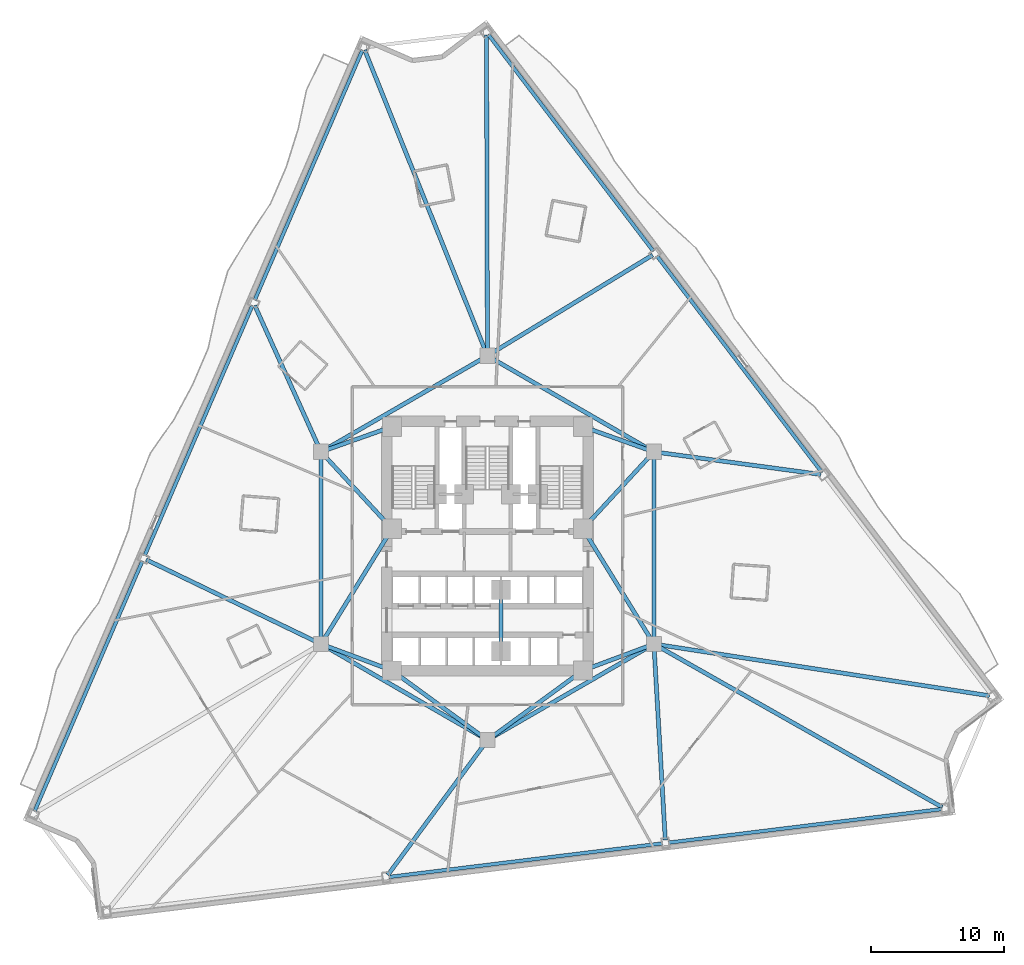
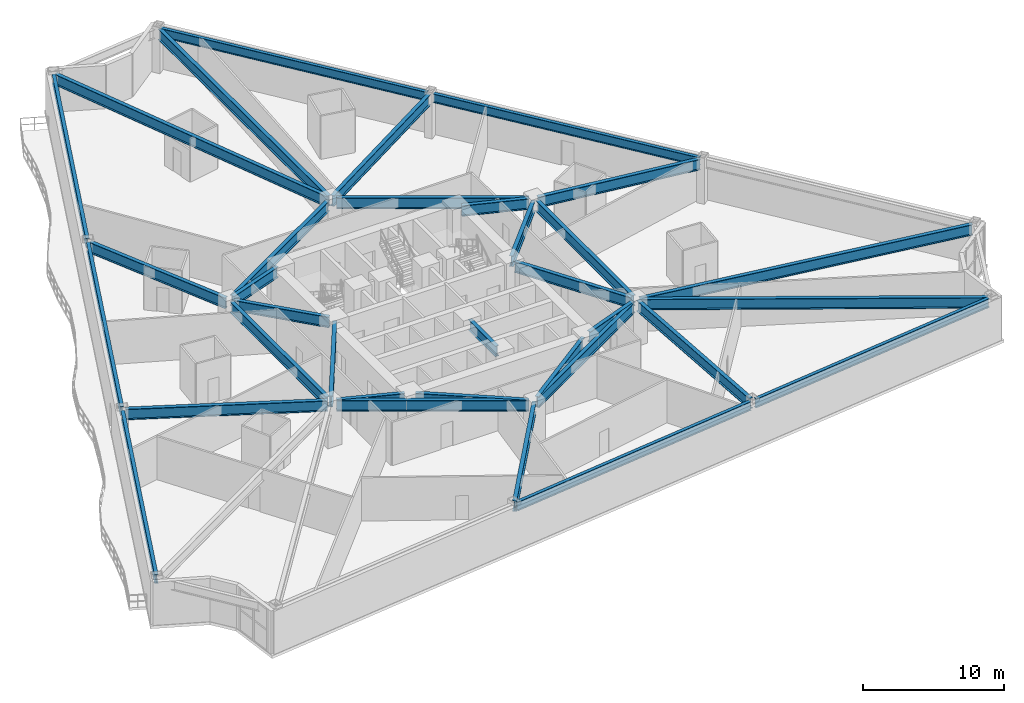
# One storey, part 3 of 14: 34 beams.
"""IFC4 building model written with IfcOpenShell, lengths in metres."""

from ifc_helpers import new_model, si_unit, direction, frame, origin, origin_2d, place, context, subcontext, project, spatial, i_section, extrude, material, material_profile, profile_set, type_object, element, save


model = new_model("IFC4")

# Units and contexts
model_context = context("Model", 3, precision=1e-05, world=origin(), true_north=direction((0.0, 1.0)))
body_context = subcontext(model_context, "Body", "Model", "MODEL_VIEW")
ifc_project = project(units=[si_unit("LENGTHUNIT", "METRE"), si_unit("AREAUNIT", "SQUARE_METRE"), si_unit("VOLUMEUNIT", "CUBIC_METRE"), si_unit("PLANEANGLEUNIT", "RADIAN"), si_unit("MASSUNIT", "GRAM", prefix="KILO")], contexts=[model_context])

# Site, building, storey
site_placement = place(None, origin())
site = spatial("IfcSite", under=ifc_project, at=site_placement, CompositionType="ELEMENT")
building_placement = place(site_placement, origin())
building = spatial("IfcBuilding", under=site, at=building_placement, Name="Apsidion Concourse Tower", CompositionType="ELEMENT")
storey_placement = place(building_placement, frame((0.0, 0.0, 79.0)))
storey = spatial("IfcBuildingStorey", under=building, at=storey_placement, Name="L17", CompositionType="ELEMENT", Elevation=79.0)

# Beams
ifc_material = material(Name="Structural steel ASTM A992 Grade 50", Category="steel")
ifc_material_profile_1 = material_profile(ifc_material, i_section(OverallWidth=0.31005859375, OverallDepth=0.931884765625, WebThickness=0.02099609375, FlangeThickness=0.034423828125, at=origin_2d()), Name="W36X210")
ifc_profile_set_1 = profile_set([ifc_material_profile_1], Name="Structural steel ASTM A992 Grade 50")
beam_type_1 = type_object("IfcBeamType", Name="BM-G-W36", PredefinedType="USERDEFINED", material=ifc_profile_set_1)
beam_1_placement = place(storey_placement, frame((-12.185302734375, -7.389892578125, 3.283935546875), z_axis=(0.936913021145, -0.349562570664, 0.0), x_axis=(0.349562570664, 0.936913021145, 0.0)))
element("IfcBeam", 1, at=beam_1_placement, inside=storey, type_object=beam_type_1, Name="L17 Core Coupling Girder IC1-SC1", ObjectType="GIRDER", PredefinedType="USERDEFINED", context=body_context, shape_type="SweptSolid", body=[
    extrude(i_section(OverallWidth=0.31005859375, OverallDepth=0.931884765625, WebThickness=0.02099609375, FlangeThickness=0.034423828125, at=origin_2d()), origin(), (0.0, 0.0, 1.0), 4.921142578125),
])
beam_2_placement = place(storey_placement, frame((-12.35009765625, -6.909423828125, 3.283935546875), z_axis=(0.524524009763, 0.851395656074, 0.0), x_axis=(-0.851395656074, 0.524524009763, 0.0)))
element("IfcBeam", 2, at=beam_2_placement, inside=storey, type_object=beam_type_1, Name="L17 Core Coupling Girder IC1-SC6", ObjectType="GIRDER", PredefinedType="USERDEFINED", context=body_context, shape_type="SweptSolid", body=[
    extrude(i_section(OverallWidth=0.31005859375, OverallDepth=0.931884765625, WebThickness=0.02099609375, FlangeThickness=0.034423828125, at=origin_2d()), origin(), (0.0, 0.0, 1.0), 9.41845703125),
])
beam_3_placement = place(storey_placement, frame((12.185302734375, -7.389892578125, 3.283935546875), z_axis=(-0.936913021145, -0.349562570664, 0.0), x_axis=(0.349562570664, -0.936913021145, 0.0)))
element("IfcBeam", 3, at=beam_3_placement, inside=storey, type_object=beam_type_1, Name="L17 Core Coupling Girder IC2-SC2", ObjectType="GIRDER", PredefinedType="USERDEFINED", context=body_context, shape_type="SweptSolid", body=[
    extrude(i_section(OverallWidth=0.31005859375, OverallDepth=0.931884765625, WebThickness=0.02099609375, FlangeThickness=0.034423828125, at=origin_2d()), origin(), (0.0, 0.0, 1.0), 4.921142578125),
])
beam_4_placement = place(storey_placement, frame((12.35009765625, -6.909423828125, 3.283935546875), z_axis=(-0.524524009763, 0.851395656074, 0.0), x_axis=(-0.851395656074, -0.524524009763, 0.0)))
element("IfcBeam", 4, at=beam_4_placement, inside=storey, type_object=beam_type_1, Name="L17 Core Coupling Girder IC2-SC3", ObjectType="GIRDER", PredefinedType="USERDEFINED", context=body_context, shape_type="SweptSolid", body=[
    extrude(i_section(OverallWidth=0.31005859375, OverallDepth=0.931884765625, WebThickness=0.02099609375, FlangeThickness=0.034423828125, at=origin_2d()), origin(), (0.0, 0.0, 1.0), 9.41845703125),
])
beam_5_placement = place(storey_placement, frame((12.28857421875, 6.956298828125, 3.283935546875), z_axis=(-0.678712876106, -0.73440372535, 0.0), x_axis=(0.73440372535, -0.678712876106, 0.0)))
element("IfcBeam", 5, at=beam_5_placement, inside=storey, type_object=beam_type_1, Name="L17 Core Coupling Girder IC3-SC3", ObjectType="GIRDER", PredefinedType="USERDEFINED", context=body_context, shape_type="SweptSolid", body=[
    extrude(i_section(OverallWidth=0.31005859375, OverallDepth=0.931884765625, WebThickness=0.02099609375, FlangeThickness=0.034423828125, at=origin_2d()), origin(), (0.0, 0.0, 1.0), 7.097412109375),
])
beam_6_placement = place(storey_placement, frame((12.18310546875, 7.383544921875, 3.283935546875), z_axis=(-0.942533844539, 0.334110688094, 0.0), x_axis=(-0.334110688094, -0.942533844539, 0.0)))
element("IfcBeam", 6, at=beam_6_placement, inside=storey, type_object=beam_type_1, Name="L17 Core Coupling Girder IC3-SC4", ObjectType="GIRDER", PredefinedType="USERDEFINED", context=body_context, shape_type="SweptSolid", body=[
    extrude(i_section(OverallWidth=0.31005859375, OverallDepth=0.931884765625, WebThickness=0.02099609375, FlangeThickness=0.034423828125, at=origin_2d()), origin(), (0.0, 0.0, 1.0), 4.886962890625),
])
beam_7_placement = place(storey_placement, frame((-12.28857421875, 6.956298828125, 3.283935546875), z_axis=(0.678712876106, -0.73440372535, 0.0), x_axis=(0.73440372535, 0.678712876106, 0.0)))
element("IfcBeam", 7, at=beam_7_placement, inside=storey, type_object=beam_type_1, Name="L17 Core Coupling Girder IC5-SC6", ObjectType="GIRDER", PredefinedType="USERDEFINED", context=body_context, shape_type="SweptSolid", body=[
    extrude(i_section(OverallWidth=0.31005859375, OverallDepth=0.931884765625, WebThickness=0.02099609375, FlangeThickness=0.034423828125, at=origin_2d()), origin(), (0.0, 0.0, 1.0), 7.097412109375),
])
beam_8_placement = place(storey_placement, frame((-12.18310546875, 7.383544921875, 3.283935546875), z_axis=(0.942533844539, 0.334110688094, 0.0), x_axis=(-0.334110688094, 0.942533844539, 0.0)))
element("IfcBeam", 8, at=beam_8_placement, inside=storey, type_object=beam_type_1, Name="L17 Core Coupling Girder IC5-SC5", ObjectType="GIRDER", PredefinedType="USERDEFINED", context=body_context, shape_type="SweptSolid", body=[
    extrude(i_section(OverallWidth=0.31005859375, OverallDepth=0.931884765625, WebThickness=0.02099609375, FlangeThickness=0.034423828125, at=origin_2d()), origin(), (0.0, 0.0, 1.0), 4.886962890625),
])
for number, where, z_axis, x_axis, name in (
    (9, (-0.3232421875, -14.264404296875, 3.283935546875), (-0.807993498909, 0.589191399905, 0.0), (-0.589191399905, -0.807993498909, 0.0), "L17 Core Coupling Girder IC6-SC1"),
    (10, (0.3232421875, -14.264404296875, 3.283935546875), (0.807993498909, 0.589191399905, 0.0), (-0.589191399905, 0.807993498909, 0.0), "L17 Core Coupling Girder IC6-SC2"),
):
    element("IfcBeam", number, at=place(storey_placement, frame(where, z_axis=z_axis, x_axis=x_axis)), inside=storey, type_object=beam_type_1, Name=name, ObjectType="GIRDER", PredefinedType="USERDEFINED", context=body_context, shape_type="SweptSolid", body=[
        extrude(i_section(OverallWidth=0.31005859375, OverallDepth=0.931884765625, WebThickness=0.02099609375, FlangeThickness=0.034423828125, at=origin_2d()), origin(), (0.0, 0.0, 1.0), 8.11083984375),
    ])
beam_9_placement = place(storey_placement, frame((-12.56005859375, -6.85009765625, 3.283935546875), z_axis=(0.0, 1.0, 0.0), x_axis=(-1.0, 0.0, 0.0)))
element("IfcBeam", 11, at=beam_9_placement, inside=storey, type_object=beam_type_1, Name="L17 Core Coupling Girder IC1-IC5", ObjectType="GIRDER", PredefinedType="USERDEFINED", context=body_context, shape_type="SweptSolid", body=[
    extrude(i_section(OverallWidth=0.31005859375, OverallDepth=0.931884765625, WebThickness=0.02099609375, FlangeThickness=0.034423828125, at=origin_2d()), origin(), (0.0, 0.0, 1.0), 13.7001953125),
])
for number, where, z_axis, x_axis, name in (
    (12, (-12.213623046875, 7.449951171875, 3.283935546875), (0.866070471464, 0.499921932364, 0.0), (-0.499921932364, 0.866070471464, 0.0), "L17 Core Coupling Girder IC5-IC4"),
    (13, (0.346435546875, 14.300048828125, 3.283935546875), (0.866070471464, -0.499921932364, 0.0), (0.499921932364, 0.866070471464, 0.0), "L17 Core Coupling Girder IC4-IC3"),
):
    element("IfcBeam", number, at=place(storey_placement, frame(where, z_axis=z_axis, x_axis=x_axis)), inside=storey, type_object=beam_type_1, Name=name, ObjectType="GIRDER", PredefinedType="USERDEFINED", context=body_context, shape_type="SweptSolid", body=[
        extrude(i_section(OverallWidth=0.31005859375, OverallDepth=0.931884765625, WebThickness=0.02099609375, FlangeThickness=0.034423828125, at=origin_2d()), origin(), (0.0, 0.0, 1.0), 13.702392578125),
    ])
beam_10_placement = place(storey_placement, frame((12.56005859375, 6.85009765625, 3.283935546875), z_axis=(0.0, -1.0, 0.0), x_axis=(1.0, 0.0, 0.0)))
element("IfcBeam", 14, at=beam_10_placement, inside=storey, type_object=beam_type_1, Name="L17 Core Coupling Girder IC3-IC2", ObjectType="GIRDER", PredefinedType="USERDEFINED", context=body_context, shape_type="SweptSolid", body=[
    extrude(i_section(OverallWidth=0.31005859375, OverallDepth=0.931884765625, WebThickness=0.02099609375, FlangeThickness=0.034423828125, at=origin_2d()), origin(), (0.0, 0.0, 1.0), 13.7001953125),
])
for number, where, z_axis, x_axis, name in (
    (15, (12.213623046875, -7.449951171875, 3.283935546875), (-0.866070471464, -0.499921932364, 0.0), (0.499921932364, -0.866070471464, 0.0), "L17 Core Coupling Girder IC2-IC6"),
    (16, (-0.346435546875, -14.300048828125, 3.283935546875), (-0.866070471464, 0.499921932364, 0.0), (-0.499921932364, -0.866070471464, 0.0), "L17 Core Coupling Girder IC6-IC1"),
):
    element("IfcBeam", number, at=place(storey_placement, frame(where, z_axis=z_axis, x_axis=x_axis)), inside=storey, type_object=beam_type_1, Name=name, ObjectType="GIRDER", PredefinedType="USERDEFINED", context=body_context, shape_type="SweptSolid", body=[
        extrude(i_section(OverallWidth=0.31005859375, OverallDepth=0.931884765625, WebThickness=0.02099609375, FlangeThickness=0.034423828125, at=origin_2d()), origin(), (0.0, 0.0, 1.0), 13.702392578125),
    ])
beam_11_placement = place(storey_placement, frame((1.02490234375, -3.550048828125, 3.283935546875), z_axis=(0.0, -1.0, 0.0), x_axis=(1.0, 0.0, 0.0)))
element("IfcBeam", 17, at=beam_11_placement, inside=storey, type_object=beam_type_1, Name="L17 Core Coupling Girder CC5-CC6", ObjectType="GIRDER", PredefinedType="USERDEFINED", context=body_context, shape_type="SweptSolid", body=[
    extrude(i_section(OverallWidth=0.31005859375, OverallDepth=0.931884765625, WebThickness=0.02099609375, FlangeThickness=0.034423828125, at=origin_2d()), origin(), (0.0, 0.0, 1.0), 3.849853515625),
])
beam_12_placement = place(storey_placement, frame((-0.08203125, 14.7041015625, 3.283935546875), z_axis=(-0.372538285094, 0.928016824276, 0.0), x_axis=(-0.928016824276, -0.372538285094, 0.0)))
element("IfcBeam", 18, at=beam_12_placement, inside=storey, type_object=beam_type_1, Name="L17 Radial Floor Girder RAD-01", ObjectType="GIRDER", PredefinedType="USERDEFINED", context=body_context, shape_type="SweptSolid", body=[
    extrude(i_section(OverallWidth=0.31005859375, OverallDepth=0.931884765625, WebThickness=0.02099609375, FlangeThickness=0.034423828125, at=origin_2d()), origin(), (0.0, 0.0, 1.0), 24.642333984375),
])
beam_13_placement = place(storey_placement, frame((-12.650634765625, 7.450439453125, 3.283935546875), z_axis=(-0.412253816474, 0.911069037342, 0.0), x_axis=(-0.911069037342, -0.412253816474, 0.0)))
element("IfcBeam", 19, at=beam_13_placement, inside=storey, type_object=beam_type_1, Name="L17 Radial Floor Girder RAD-02", ObjectType="GIRDER", PredefinedType="USERDEFINED", context=body_context, shape_type="SweptSolid", body=[
    extrude(i_section(OverallWidth=0.31005859375, OverallDepth=0.931884765625, WebThickness=0.02099609375, FlangeThickness=0.034423828125, at=origin_2d()), origin(), (0.0, 0.0, 1.0), 11.90234375),
])
beam_14_placement = place(storey_placement, frame((-12.758056640625, -7.154296875, 3.283935546875), z_axis=(-0.900619466143, 0.434608533286, 0.0), x_axis=(-0.434608533286, -0.900619466143, 0.0)))
element("IfcBeam", 20, at=beam_14_placement, inside=storey, type_object=beam_type_1, Name="L17 Radial Floor Girder RAD-03", ObjectType="GIRDER", PredefinedType="USERDEFINED", context=body_context, shape_type="SweptSolid", body=[
    extrude(i_section(OverallWidth=0.31005859375, OverallDepth=0.931884765625, WebThickness=0.02099609375, FlangeThickness=0.034423828125, at=origin_2d()), origin(), (0.0, 0.0, 1.0), 14.4296875),
])
beam_15_placement = place(storey_placement, frame((-0.130615234375, -14.677001953125, 3.283935546875), z_axis=(-0.594039313688, -0.804436009757, 0.0), x_axis=(0.804436009757, -0.594039313688, 0.0)))
element("IfcBeam", 21, at=beam_15_placement, inside=storey, type_object=beam_type_1, Name="L17 Radial Floor Girder RAD-06", ObjectType="GIRDER", PredefinedType="USERDEFINED", context=body_context, shape_type="SweptSolid", body=[
    extrude(i_section(OverallWidth=0.31005859375, OverallDepth=0.931884765625, WebThickness=0.02099609375, FlangeThickness=0.034423828125, at=origin_2d()), origin(), (0.0, 0.0, 1.0), 12.43359375),
])
beam_16_placement = place(storey_placement, frame((12.57275390625, -7.469482421875, 3.283935546875), z_axis=(0.058062445762, -0.998312953133, 0.0), x_axis=(0.998312953133, 0.058062445762, 0.0)))
element("IfcBeam", 22, at=beam_16_placement, inside=storey, type_object=beam_type_1, Name="L17 Radial Floor Girder RAD-07", ObjectType="GIRDER", PredefinedType="USERDEFINED", context=body_context, shape_type="SweptSolid", body=[
    extrude(i_section(OverallWidth=0.31005859375, OverallDepth=0.931884765625, WebThickness=0.02099609375, FlangeThickness=0.034423828125, at=origin_2d()), origin(), (0.0, 0.0, 1.0), 14.603271484375),
])
beam_17_placement = place(storey_placement, frame((12.75146484375, -7.3583984375, 3.283935546875), z_axis=(0.870218136179, -0.492666616958, 0.0), x_axis=(0.492666616958, 0.870218136179, 0.0)))
element("IfcBeam", 23, at=beam_17_placement, inside=storey, type_object=beam_type_1, Name="L17 Radial Floor Girder RAD-08", ObjectType="GIRDER", PredefinedType="USERDEFINED", context=body_context, shape_type="SweptSolid", body=[
    extrude(i_section(OverallWidth=0.31005859375, OverallDepth=0.931884765625, WebThickness=0.02099609375, FlangeThickness=0.034423828125, at=origin_2d()), origin(), (0.0, 0.0, 1.0), 24.788330078125),
])
beam_18_placement = place(storey_placement, frame((12.77734375, -7.283447265625, 3.283935546875), z_axis=(0.98832519419, -0.152359149806, 0.0), x_axis=(0.152359149806, 0.98832519419, 0.0)))
element("IfcBeam", 24, at=beam_18_placement, inside=storey, type_object=beam_type_1, Name="L17 Radial Floor Girder RAD-09", ObjectType="GIRDER", PredefinedType="USERDEFINED", context=body_context, shape_type="SweptSolid", body=[
    extrude(i_section(OverallWidth=0.31005859375, OverallDepth=0.931884765625, WebThickness=0.02099609375, FlangeThickness=0.034423828125, at=origin_2d()), origin(), (0.0, 0.0, 1.0), 25.394775390625),
])
beam_19_placement = place(storey_placement, frame((12.778076171875, 7.220458984375, 3.283935546875), z_axis=(0.990945318587, -0.134266062618, 0.0), x_axis=(0.134266062618, 0.990945318587, 0.0)))
element("IfcBeam", 25, at=beam_19_placement, inside=storey, type_object=beam_type_1, Name="L17 Radial Floor Girder RAD-10", ObjectType="GIRDER", PredefinedType="USERDEFINED", context=body_context, shape_type="SweptSolid", body=[
    extrude(i_section(OverallWidth=0.31005859375, OverallDepth=0.931884765625, WebThickness=0.02099609375, FlangeThickness=0.034423828125, at=origin_2d()), origin(), (0.0, 0.0, 1.0), 12.48828125),
])
beam_20_placement = place(storey_placement, frame((0.187744140625, 14.614501953125, 3.283935546875), z_axis=(0.853749961822, 0.520683207611, 0.0), x_axis=(-0.520683207611, 0.853749961822, 0.0)))
element("IfcBeam", 26, at=beam_20_placement, inside=storey, type_object=beam_type_1, Name="L17 Radial Floor Girder RAD-11", ObjectType="GIRDER", PredefinedType="USERDEFINED", context=body_context, shape_type="SweptSolid", body=[
    extrude(i_section(OverallWidth=0.31005859375, OverallDepth=0.931884765625, WebThickness=0.02099609375, FlangeThickness=0.034423828125, at=origin_2d()), origin(), (0.0, 0.0, 1.0), 14.37646484375),
])
beam_21_placement = place(storey_placement, frame((-0.000732421875, 14.719970703125, 3.283935546875), z_axis=(-0.002953053731, 0.999995639727, 0.0), x_axis=(-0.999995639727, -0.002953053731, 0.0)))
element("IfcBeam", 27, at=beam_21_placement, inside=storey, type_object=beam_type_1, Name="L17 Radial Floor Girder RAD-12", ObjectType="GIRDER", PredefinedType="USERDEFINED", context=body_context, shape_type="SweptSolid", body=[
    extrude(i_section(OverallWidth=0.31005859375, OverallDepth=0.931884765625, WebThickness=0.02099609375, FlangeThickness=0.034423828125, at=origin_2d()), origin(), (0.0, 0.0, 1.0), 23.975341796875),
])
ifc_material_profile_2 = material_profile(ifc_material, i_section(OverallWidth=0.26806640625, OverallDepth=0.77001953125, WebThickness=0.015625, FlangeThickness=0.025390625, at=origin_2d()), Name="W30X132")
ifc_profile_set_2 = profile_set([ifc_material_profile_2], Name="Structural steel ASTM A992 Grade 50")
beam_type_2 = type_object("IfcBeamType", Name="BM-SP-W30", PredefinedType="SPANDREL", material=ifc_profile_set_2)
beam_22_placement = place(storey_placement, frame((-9.431396484375, 37.57470703125, 3.364990234375), z_axis=(-0.395525708749, -0.918454905653, 0.0), x_axis=(0.918454905653, -0.395525708749, 0.0)))
element("IfcBeam", 28, at=beam_22_placement, inside=storey, type_object=beam_type_2, Name="L17 Perimeter Spandrel Girder SP-01", PredefinedType="SPANDREL", context=body_context, shape_type="SweptSolid", body=[
    extrude(i_section(OverallWidth=0.26806640625, OverallDepth=0.77001953125, WebThickness=0.015625, FlangeThickness=0.025390625, at=origin_2d()), origin(), (0.0, 0.0, 1.0), 20.553955078125),
])
beam_23_placement = place(storey_placement, frame((-17.735107421875, 18.29248046875, 3.364990234375), z_axis=(-0.395530023745, -0.918453047421, 0.0), x_axis=(0.918453047421, -0.395530023745, 0.0)))
element("IfcBeam", 29, at=beam_23_placement, inside=storey, type_object=beam_type_2, Name="L17 Perimeter Spandrel Girder SP-02", PredefinedType="SPANDREL", context=body_context, shape_type="SweptSolid", body=[
    extrude(i_section(OverallWidth=0.26806640625, OverallDepth=0.77001953125, WebThickness=0.015625, FlangeThickness=0.025390625, at=origin_2d()), origin(), (0.0, 0.0, 1.0), 20.5537109375),
])
beam_24_placement = place(storey_placement, frame((-26.038818359375, -0.989501953125, 3.364990234375), z_axis=(-0.395525708749, -0.918454905653, 0.0), x_axis=(0.918454905653, -0.395525708749, 0.0)))
element("IfcBeam", 30, at=beam_24_placement, inside=storey, type_object=beam_type_2, Name="L17 Perimeter Spandrel Girder SP-03", PredefinedType="SPANDREL", context=body_context, shape_type="SweptSolid", body=[
    extrude(i_section(OverallWidth=0.26806640625, OverallDepth=0.77001953125, WebThickness=0.015625, FlangeThickness=0.025390625, at=origin_2d()), origin(), (0.0, 0.0, 1.0), 20.553955078125),
])
for number, where, z_axis, x_axis, name in (
    (31, (-7.428955078125, -24.8291015625, 3.364990234375), (0.992546743565, 0.121864522478, 0.0), (-0.121864522478, 0.992546743565, 0.0), "L17 Perimeter Spandrel Girder SP-06"),
    (32, (13.65185546875, -22.24072265625, 3.364990234375), (0.992546743565, 0.121864522478, 0.0), (-0.121864522478, 0.992546743565, 0.0), "L17 Perimeter Spandrel Girder SP-07"),
):
    element("IfcBeam", number, at=place(storey_placement, frame(where, z_axis=z_axis, x_axis=x_axis)), inside=storey, type_object=beam_type_2, Name=name, PredefinedType="SPANDREL", context=body_context, shape_type="SweptSolid", body=[
        extrude(i_section(OverallWidth=0.26806640625, OverallDepth=0.77001953125, WebThickness=0.015625, FlangeThickness=0.025390625, at=origin_2d()), origin(), (0.0, 0.0, 1.0), 20.799072265625),
    ])
for number, where, z_axis, x_axis, name in (
    (33, (25.238037109375, 5.689208984375, 3.364990234375), (-0.605973428299, 0.795484886215, 0.0), (-0.795484886215, -0.605973428299, 0.0), "L17 Perimeter Spandrel Girder SP-10"),
    (34, (12.51611328125, 22.3896484375, 3.364990234375), (-0.605965911945, 0.795490611862, 0.0), (-0.795490611862, -0.605965911945, 0.0), "L17 Perimeter Spandrel Girder SP-11"),
):
    element("IfcBeam", number, at=place(storey_placement, frame(where, z_axis=z_axis, x_axis=x_axis)), inside=storey, type_object=beam_type_2, Name=name, PredefinedType="SPANDREL", context=body_context, shape_type="SweptSolid", body=[
        extrude(i_section(OverallWidth=0.26806640625, OverallDepth=0.77001953125, WebThickness=0.015625, FlangeThickness=0.025390625, at=origin_2d()), origin(), (0.0, 0.0, 1.0), 20.55419921875),
    ])

save(model, "model.ifc")
